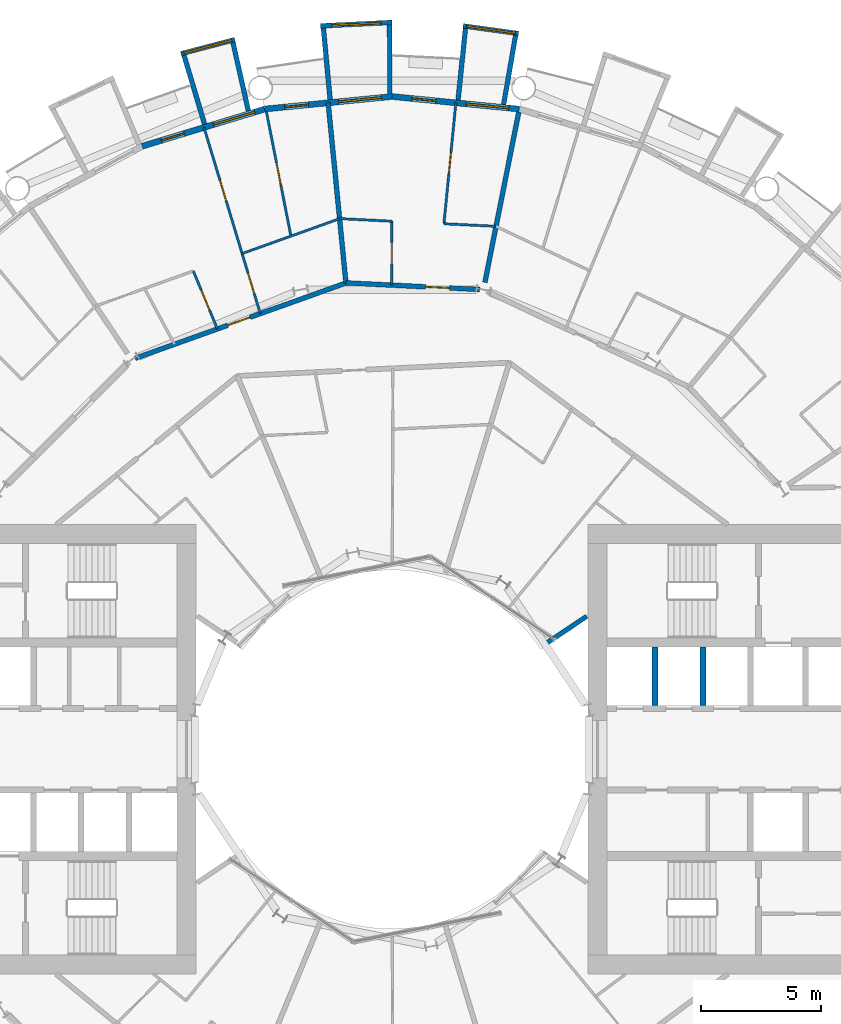
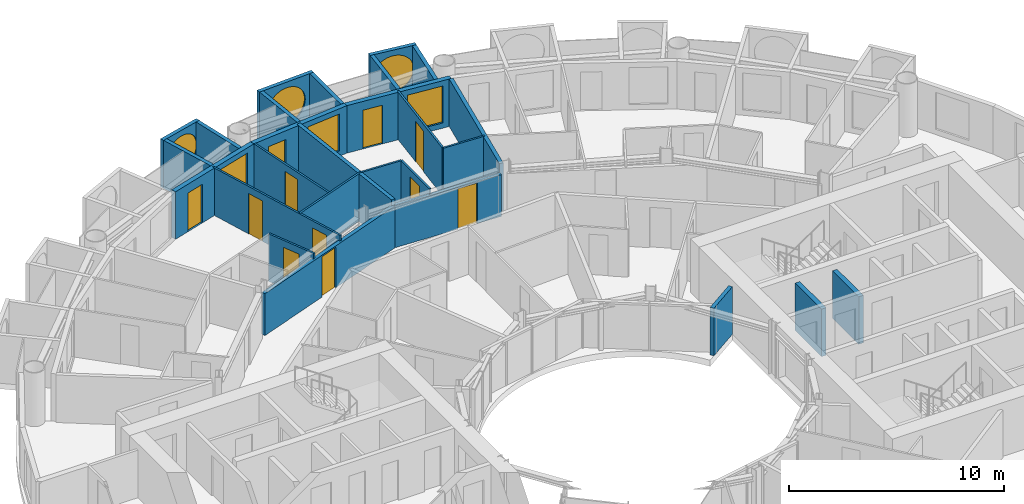
# One storey, part 20 of 26: 27 walls, 11 doors, 6 windows, 17 openings.
"""IFC4 building model written with IfcOpenShell, lengths in metres."""

from ifc_helpers import new_model, si_unit, direction, frame, frame_2d, origin, place, context, subcontext, project, spatial, rectangle, circle, extrude, material, layer, layer_set, type_object, element, fill, save


model = new_model("IFC4")

# Units and contexts
model_context = context("Model", 3, precision=1e-05, world=origin(), true_north=direction((0.0, 1.0)))
body_context = subcontext(model_context, "Body", "Model", "MODEL_VIEW")
ifc_project = project(units=[si_unit("LENGTHUNIT", "METRE"), si_unit("AREAUNIT", "SQUARE_METRE"), si_unit("VOLUMEUNIT", "CUBIC_METRE"), si_unit("PLANEANGLEUNIT", "RADIAN"), si_unit("MASSUNIT", "GRAM", prefix="KILO")], contexts=[model_context])

# Site, building, storey
site_placement = place(None, origin())
site = spatial("IfcSite", under=ifc_project, at=site_placement, CompositionType="ELEMENT")
building_placement = place(site_placement, origin())
building = spatial("IfcBuilding", under=site, at=building_placement, Name="Maasbend Ring Residences", CompositionType="ELEMENT")
storey_placement = place(building_placement, frame((0.0, 0.0, 44.14990234375)))
storey = spatial("IfcBuildingStorey", under=building, at=storey_placement, Name="L12", CompositionType="ELEMENT", Elevation=44.14990234375)

# Wall, opening, door
ifc_material_1 = material(Name="Concrete C30/37", Category="concrete")
ifc_layer_1 = layer(ifc_material_1, 0.199951171875)
ifc_layer_set_1 = layer_set([ifc_layer_1], Name="Concrete C30/37")
wall_type_1 = type_object("IfcWallType", Name="CORRIDOR WALL 200 CONCRETE", PredefinedType="PARTITIONING", material=ifc_layer_set_1)
wall_1_placement = place(storey_placement, frame((-10.741943359375, 16.35107421875, 0.0), z_axis=(0.0, 0.0, 1.0), x_axis=(0.941707755593, 0.336432018476, 0.0)))
wall_1 = element("IfcWall", 1, at=wall_1_placement, inside=storey, type_object=wall_type_1, Name="U-L12-w106", PredefinedType="PARTITIONING", context=body_context, shape_type="SweptSolid", body=[
    extrude(rectangle(XDim=9.380859375, YDim=0.199951171875, at=frame_2d((4.6904296875, 0.0))), origin(), (0.0, 0.0, 1.0), 2.380126953125),
])
opening_1_placement = place(wall_1_placement, frame((4.10595703125, 0.0, 0.0)))
opening_1 = element("IfcOpeningElement", 2, at=opening_1_placement, cuts=wall_1, Name="Opening D-1213", PredefinedType="OPENING", context=body_context, shape_type="SweptSolid", body=[
    extrude(rectangle(XDim=1.0, YDim=2.300048828125, at=frame_2d((0.5, 1.14990234375))), frame((0.0, 0.10986328125, 0.0), z_axis=(0.0, -1.0, 0.0), x_axis=(1.0, 0.0, 0.0)), (0.0, 0.0, 1.0), 0.219970703125),
])
ifc_material_2 = material(Name="Timber, fire-rated, painted", Category="wood")
door_type_1 = type_object("IfcDoorType", Name="FLAT ENTRANCE DOOR 1000 X 2300 FIRE-RATED", OperationType="NOTDEFINED", PredefinedType="DOOR", material=ifc_material_2)
door_1_placement = place(opening_1_placement, origin())
door_1 = element("IfcDoor", 3, at=door_1_placement, inside=storey, type_object=door_type_1, Name="D-1213", OperationType="SINGLE_SWING_LEFT", OverallHeight=2.300048828125, OverallWidth=1.0, PredefinedType="DOOR", context=body_context, shape_type="SweptSolid", body=[
    extrude(rectangle(XDim=1.0, YDim=2.300048828125, at=frame_2d((0.5, 1.14990234375))), frame((0.0, 0.02490234375, 0.0), z_axis=(0.0, -1.0, 0.0), x_axis=(1.0, 0.0, 0.0)), (0.0, 0.0, 1.0), 0.050048828125),
])
fill(opening_1, door_1)

wall_2_placement = place(storey_placement, frame((-1.9208984375, 19.506103515625, 0.0), z_axis=(0.0, 0.0, 1.0), x_axis=(0.99879118777, -0.049154483346, 0.0)))
wall_2 = element("IfcWall", 4, at=wall_2_placement, inside=storey, type_object=wall_type_1, Name="U-L12-w109", PredefinedType="PARTITIONING", context=body_context, shape_type="SweptSolid", body=[
    extrude(rectangle(XDim=5.59765625, YDim=0.199951171875, at=frame_2d((2.798828125, 0.0))), origin(), (0.0, 0.0, 1.0), 2.380126953125),
])
opening_2_placement = place(wall_2_placement, frame((3.333984375, 0.0, 0.0)))
opening_2 = element("IfcOpeningElement", 5, at=opening_2_placement, cuts=wall_2, Name="Opening D-1210", PredefinedType="OPENING", context=body_context, shape_type="SweptSolid", body=[
    extrude(rectangle(XDim=1.0, YDim=2.300048828125, at=frame_2d((0.5, 1.14990234375))), frame((0.0, 0.10986328125, 0.0), z_axis=(0.0, -1.0, 0.0), x_axis=(1.0, 0.0, 0.0)), (0.0, 0.0, 1.0), 0.219970703125),
])
door_2_placement = place(opening_2_placement, origin())
door_2 = element("IfcDoor", 6, at=door_2_placement, inside=storey, type_object=door_type_1, Name="D-1210", OperationType="SINGLE_SWING_RIGHT", OverallHeight=2.300048828125, OverallWidth=1.0, PredefinedType="DOOR", context=body_context, shape_type="SweptSolid", body=[
    extrude(rectangle(XDim=1.0, YDim=2.300048828125, at=frame_2d((0.5, 1.14990234375))), frame((0.0, 0.02490234375, 0.0), z_axis=(0.0, -1.0, 0.0), x_axis=(1.0, 0.0, 0.0)), (0.0, 0.0, 1.0), 0.050048828125),
])
fill(opening_2, door_2)

# Wall, opening, window
ifc_material_3 = material(Name="Pale anodised aluminium panel", Category="aluminium")
ifc_layer_2 = layer(ifc_material_3, 0.199951171875)
ifc_layer_set_2 = layer_set([ifc_layer_2], Name="EW-BOX")
wall_type_2 = type_object("IfcWallType", Name="EW-BOX", PredefinedType="SOLIDWALL", material=ifc_layer_set_2)
wall_3_placement = place(storey_placement, frame((5.2900390625, 29.93603515625, -0.02978515625), z_axis=(0.0, 0.0, 1.0), x_axis=(-0.990696111261, 0.136092671119, 0.0)))
wall_3 = element("IfcWall", 7, at=wall_3_placement, inside=storey, type_object=wall_type_2, Name="Box front N09", PredefinedType="SOLIDWALL", context=body_context, shape_type="SweptSolid", body=[
    extrude(rectangle(XDim=2.335693359375, YDim=0.199951171875, at=frame_2d((1.16796875, 0.0))), origin(), (0.0, 0.0, 1.0), 2.72998046875),
])
opening_3_placement = place(wall_3_placement, frame((0.128173828125, 0.0, 0.330078125)))
opening_3 = element("IfcOpeningElement", 8, at=opening_3_placement, cuts=wall_3, Name="Opening W-RD", PredefinedType="OPENING", context=body_context, shape_type="SweptSolid", body=[
    extrude(circle(Radius=1.0400390625, at=frame_2d((1.0400390625, 1.0400390625))), frame((0.0, 0.10986328125, 0.0), z_axis=(0.0, -1.0, 0.0), x_axis=(1.0, 0.0, 0.0)), (0.0, 0.0, 1.0), 0.219970703125),
])
ifc_material_4 = material(Name="Aluminium and clear glass", Category="aluminium")
window_type_1 = type_object("IfcWindowType", Name="W-RD", PartitioningType="SINGLE_PANEL", PredefinedType="WINDOW", material=ifc_material_4)
window_1_placement = place(opening_3_placement, origin())
window_1 = element("IfcWindow", 9, at=window_1_placement, inside=storey, type_object=window_type_1, Name="Round window N09", OverallHeight=2.080078125, OverallWidth=2.080078125, PartitioningType="SINGLE_PANEL", PredefinedType="WINDOW", context=body_context, shape_type="SweptSolid", body=[
    extrude(circle(Radius=1.0400390625, at=frame_2d((1.0400390625, 1.0400390625))), frame((0.0, 0.030029296875, 0.0), z_axis=(0.0, -1.0, 0.0), x_axis=(1.0, 0.0, 0.0)), (0.0, 0.0, 1.0), 0.06005859375),
])
fill(opening_3, window_1)

# Walls
wall_4_placement = place(storey_placement, frame((4.6708984375, 26.966064453125, -0.02978515625), z_axis=(0.0, 0.0, 1.0), x_axis=(0.170539878907, 0.985350774954, 0.0)))
element("IfcWall", 10, at=wall_4_placement, inside=storey, type_object=wall_type_2, Name="Box side wall N09 left", PredefinedType="SOLIDWALL", context=body_context, shape_type="SweptSolid", body=[
    extrude(rectangle(XDim=2.931884765625, YDim=0.199951171875, at=frame_2d((1.4658203125, 0.0))), origin(), (0.0, 0.0, 1.0), 2.72998046875),
])
wall_5_placement = place(storey_placement, frame((2.763916015625, 27.153076171875, -0.02978515625), z_axis=(0.0, 0.0, 1.0), x_axis=(0.101505487237, 0.994834979311, 0.0)))
element("IfcWall", 11, at=wall_5_placement, inside=storey, type_object=wall_type_2, Name="Box side wall N09 right", PredefinedType="SOLIDWALL", context=body_context, shape_type="SweptSolid", body=[
    extrude(rectangle(XDim=3.006591796875, YDim=0.199951171875, at=frame_2d((1.50341796875, 0.0))), origin(), (0.0, 0.0, 1.0), 2.72998046875),
])

# Wall, opening, window
wall_6_placement = place(storey_placement, frame((0.0048828125, 30.39990234375, -0.02978515625), z_axis=(0.0, 0.0, 1.0), x_axis=(-0.998794083011, -0.049095618353, 0.0)))
wall_6 = element("IfcWall", 12, at=wall_6_placement, inside=storey, type_object=wall_type_2, Name="Box front N11", PredefinedType="SOLIDWALL", context=body_context, shape_type="SweptSolid", body=[
    extrude(rectangle(XDim=2.99365234375, YDim=0.199951171875, at=frame_2d((1.496826171875, 0.0))), origin(), (0.0, 0.0, 1.0), 2.72998046875),
])
opening_4_placement = place(wall_6_placement, frame((0.45654296875, 0.0, 0.330078125)))
opening_4 = element("IfcOpeningElement", 13, at=opening_4_placement, cuts=wall_6, Name="Opening W-RD", PredefinedType="OPENING", context=body_context, shape_type="SweptSolid", body=[
    extrude(circle(Radius=1.0400390625, at=frame_2d((1.0400390625, 1.0400390625))), frame((0.0, 0.10986328125, 0.0), z_axis=(0.0, -1.0, 0.0), x_axis=(1.0, 0.0, 0.0)), (0.0, 0.0, 1.0), 0.219970703125),
])
window_2_placement = place(opening_4_placement, origin())
window_2 = element("IfcWindow", 14, at=window_2_placement, inside=storey, type_object=window_type_1, Name="Round window N11", OverallHeight=2.080078125, OverallWidth=2.080078125, PartitioningType="SINGLE_PANEL", PredefinedType="WINDOW", context=body_context, shape_type="SweptSolid", body=[
    extrude(circle(Radius=1.0400390625, at=frame_2d((1.0400390625, 1.0400390625))), frame((0.0, 0.030029296875, 0.0), z_axis=(0.0, -1.0, 0.0), x_axis=(1.0, 0.0, 0.0)), (0.0, 0.0, 1.0), 0.06005859375),
])
fill(opening_4, window_2)

# Walls
wall_7_placement = place(storey_placement, frame((-0.090087890625, 27.4169921875, -0.02978515625), z_axis=(0.0, 0.0, 1.0), x_axis=(-0.00347308367, 0.999993968827, 0.0)))
element("IfcWall", 15, at=wall_7_placement, inside=storey, type_object=wall_type_2, Name="Box side wall N11 left", PredefinedType="SOLIDWALL", context=body_context, shape_type="SweptSolid", body=[
    extrude(rectangle(XDim=2.882080078125, YDim=0.199951171875, at=frame_2d((1.44091796875, 0.0))), origin(), (0.0, 0.0, 1.0), 2.72998046875),
])
wall_8_placement = place(storey_placement, frame((-2.5859375, 27.1708984375, -0.02978515625), z_axis=(0.0, 0.0, 1.0), x_axis=(-0.094548432284, 0.995520262954, 0.0)))
element("IfcWall", 16, at=wall_8_placement, inside=storey, type_object=wall_type_2, Name="Box side wall N11 right", PredefinedType="SOLIDWALL", context=body_context, shape_type="SweptSolid", body=[
    extrude(rectangle(XDim=3.005615234375, YDim=0.199951171875, at=frame_2d((1.5029296875, 0.0))), origin(), (0.0, 0.0, 1.0), 2.72998046875),
])

# Wall, opening, window
wall_9_placement = place(storey_placement, frame((-6.568115234375, 29.681884765625, -0.02978515625), z_axis=(0.0, 0.0, 1.0), x_axis=(-0.967377102346, -0.253340762326, 0.0)))
wall_9 = element("IfcWall", 17, at=wall_9_placement, inside=storey, type_object=wall_type_2, Name="Box front N13", PredefinedType="SOLIDWALL", context=body_context, shape_type="SweptSolid", body=[
    extrude(rectangle(XDim=2.3359375, YDim=0.199951171875, at=frame_2d((1.16796875, 0.0))), origin(), (0.0, 0.0, 1.0), 2.72998046875),
])
opening_5_placement = place(wall_9_placement, frame((0.128173828125, 0.0, 0.330078125)))
opening_5 = element("IfcOpeningElement", 18, at=opening_5_placement, cuts=wall_9, Name="Opening W-RD", PredefinedType="OPENING", context=body_context, shape_type="SweptSolid", body=[
    extrude(circle(Radius=1.0400390625, at=frame_2d((1.0400390625, 1.0400390625))), frame((0.0, 0.10986328125, 0.0), z_axis=(0.0, -1.0, 0.0), x_axis=(1.0, 0.0, 0.0)), (0.0, 0.0, 1.0), 0.219970703125),
])
window_3_placement = place(opening_5_placement, origin())
window_3 = element("IfcWindow", 19, at=window_3_placement, inside=storey, type_object=window_type_1, Name="Round window N13", OverallHeight=2.080078125, OverallWidth=2.080078125, PartitioningType="SINGLE_PANEL", PredefinedType="WINDOW", context=body_context, shape_type="SweptSolid", body=[
    extrude(circle(Radius=1.0400390625, at=frame_2d((1.0400390625, 1.0400390625))), frame((0.0, 0.030029296875, 0.0), z_axis=(0.0, -1.0, 0.0), x_axis=(1.0, 0.0, 0.0)), (0.0, 0.0, 1.0), 0.06005859375),
])
fill(opening_5, window_3)

# Walls
wall_10_placement = place(storey_placement, frame((-6.00390625, 26.699951171875, -0.02978515625), z_axis=(0.0, 0.0, 1.0), x_axis=(-0.219609259383, 0.975587911566, 0.0)))
element("IfcWall", 20, at=wall_10_placement, inside=storey, type_object=wall_type_2, Name="Box side wall N13 left", PredefinedType="SOLIDWALL", context=body_context, shape_type="SweptSolid", body=[
    extrude(rectangle(XDim=2.9326171875, YDim=0.199951171875, at=frame_2d((1.46630859375, 0.0))), origin(), (0.0, 0.0, 1.0), 2.72998046875),
])
wall_11_placement = place(storey_placement, frame((-7.8369140625, 26.14404296875, -0.02978515625), z_axis=(0.0, 0.0, 1.0), x_axis=(-0.287064767992, 0.957911174889, 0.0)))
element("IfcWall", 21, at=wall_11_placement, inside=storey, type_object=wall_type_2, Name="Box side wall N13 right", PredefinedType="SOLIDWALL", context=body_context, shape_type="SweptSolid", body=[
    extrude(rectangle(XDim=3.00634765625, YDim=0.199951171875, at=frame_2d((1.503173828125, 0.0))), origin(), (0.0, 0.0, 1.0), 2.72998046875),
])

# Wall, openings, door, window
ifc_material_5 = material(Name="Aluminium clad insulated panel", Category="aluminium")
ifc_layer_3 = layer(ifc_material_5, 0.25)
ifc_layer_set_3 = layer_set([ifc_layer_3], Name="EW-GL")
wall_type_3 = type_object("IfcWallType", Name="EW-GL", PredefinedType="SOLIDWALL", material=ifc_layer_set_3)
wall_12_placement = place(storey_placement, frame((5.325927734375, 26.77490234375, 0.0), z_axis=(0.0, 0.0, 1.0), x_axis=(-0.995173996315, 0.098126026407, 0.0)))
wall_12 = element("IfcWall", 22, at=wall_12_placement, inside=storey, type_object=wall_type_3, Name="External wall N05", PredefinedType="SOLIDWALL", context=body_context, shape_type="SweptSolid", body=[
    extrude(rectangle(XDim=5.351806640625, YDim=0.25, at=frame_2d((2.67578125, 0.0))), origin(), (0.0, 0.0, 1.0), 2.7001953125),
])
opening_6_placement = place(wall_12_placement, frame((0.441162109375, 0.0, 0.300048828125)))
opening_6 = element("IfcOpeningElement", 23, at=opening_6_placement, cuts=wall_12, Name="Opening W-BX", PredefinedType="OPENING", context=body_context, shape_type="SweptSolid", body=[
    extrude(rectangle(XDim=1.800048828125, YDim=2.10009765625, at=frame_2d((0.89990234375, 1.050048828125))), frame((0.0, 0.135009765625, 0.0), z_axis=(0.0, -1.0, 0.0), x_axis=(1.0, 0.0, 0.0)), (0.0, 0.0, 1.0), 0.27001953125),
])
opening_7_placement = place(wall_12_placement, frame((3.510498046875, 0.0, 0.0)))
opening_7 = element("IfcOpeningElement", 24, at=opening_7_placement, cuts=wall_12, Name="Opening D-LG", PredefinedType="OPENING", context=body_context, shape_type="SweptSolid", body=[
    extrude(rectangle(XDim=1.0, YDim=2.199951171875, at=frame_2d((0.5, 1.10009765625))), frame((0.0, 0.135009765625, 0.0), z_axis=(0.0, -1.0, 0.0), x_axis=(1.0, 0.0, 0.0)), (0.0, 0.0, 1.0), 0.27001953125),
])
ifc_material_6 = material(Name="Aluminium and clear glass", Category="aluminium")
door_type_2 = type_object("IfcDoorType", Name="D-LG", OperationType="SINGLE_SWING_LEFT", PredefinedType="DOOR", material=ifc_material_6)
door_3_placement = place(opening_7_placement, origin())
door_3 = element("IfcDoor", 25, at=door_3_placement, inside=storey, type_object=door_type_2, Name="Loggia door N10", OperationType="SINGLE_SWING_LEFT", OverallHeight=2.199951171875, OverallWidth=1.0, PredefinedType="DOOR", context=body_context, shape_type="SweptSolid", body=[
    extrude(rectangle(XDim=1.0, YDim=2.199951171875, at=frame_2d((0.5, 1.10009765625))), frame((0.0, 0.02490234375, 0.0), z_axis=(0.0, -1.0, 0.0), x_axis=(1.0, 0.0, 0.0)), (0.0, 0.0, 1.0), 0.050048828125),
])
fill(opening_7, door_3)
ifc_material_7 = material(Name="Aluminium and clear glass", Category="aluminium")
window_type_2 = type_object("IfcWindowType", Name="W-BX", PartitioningType="DOUBLE_PANEL_VERTICAL", PredefinedType="WINDOW", material=ifc_material_7)
window_4_placement = place(opening_6_placement, origin())
window_4 = element("IfcWindow", 26, at=window_4_placement, inside=storey, type_object=window_type_2, Name="Window N09 room to box", OverallHeight=2.10009765625, OverallWidth=1.800048828125, PartitioningType="SINGLE_PANEL", PredefinedType="WINDOW", context=body_context, shape_type="SweptSolid", body=[
    extrude(rectangle(XDim=1.800048828125, YDim=2.10009765625, at=frame_2d((0.89990234375, 1.050048828125))), frame((0.0, 0.030029296875, 0.0), z_axis=(0.0, -1.0, 0.0), x_axis=(1.0, 0.0, 0.0)), (0.0, 0.0, 1.0), 0.06005859375),
])
fill(opening_6, window_4)

wall_13_placement = place(storey_placement, frame((0.0, 27.300048828125, 0.0), z_axis=(0.0, 0.0, 1.0), x_axis=(-0.995173996315, -0.098126026407, 0.0)))
wall_13 = element("IfcWall", 27, at=wall_13_placement, inside=storey, type_object=wall_type_3, Name="External wall N06", PredefinedType="SOLIDWALL", context=body_context, shape_type="SweptSolid", body=[
    extrude(rectangle(XDim=5.351806640625, YDim=0.25, at=frame_2d((2.67578125, 0.0))), origin(), (0.0, 0.0, 1.0), 2.7001953125),
])
opening_8_placement = place(wall_13_placement, frame((0.441162109375, 0.0, 0.300048828125)))
opening_8 = element("IfcOpeningElement", 28, at=opening_8_placement, cuts=wall_13, Name="Opening W-BX", PredefinedType="OPENING", context=body_context, shape_type="SweptSolid", body=[
    extrude(rectangle(XDim=1.800048828125, YDim=2.10009765625, at=frame_2d((0.89990234375, 1.050048828125))), frame((0.0, 0.135009765625, 0.0), z_axis=(0.0, -1.0, 0.0), x_axis=(1.0, 0.0, 0.0)), (0.0, 0.0, 1.0), 0.27001953125),
])
opening_9_placement = place(wall_13_placement, frame((3.510498046875, 0.0, 0.0)))
opening_9 = element("IfcOpeningElement", 29, at=opening_9_placement, cuts=wall_13, Name="Opening D-LG", PredefinedType="OPENING", context=body_context, shape_type="SweptSolid", body=[
    extrude(rectangle(XDim=1.0, YDim=2.199951171875, at=frame_2d((0.5, 1.10009765625))), frame((0.0, 0.135009765625, 0.0), z_axis=(0.0, -1.0, 0.0), x_axis=(1.0, 0.0, 0.0)), (0.0, 0.0, 1.0), 0.27001953125),
])
door_4_placement = place(opening_9_placement, origin())
door_4 = element("IfcDoor", 30, at=door_4_placement, inside=storey, type_object=door_type_2, Name="Loggia door N12", OperationType="SINGLE_SWING_LEFT", OverallHeight=2.199951171875, OverallWidth=1.0, PredefinedType="DOOR", context=body_context, shape_type="SweptSolid", body=[
    extrude(rectangle(XDim=1.0, YDim=2.199951171875, at=frame_2d((0.5, 1.10009765625))), frame((0.0, 0.02490234375, 0.0), z_axis=(0.0, -1.0, 0.0), x_axis=(1.0, 0.0, 0.0)), (0.0, 0.0, 1.0), 0.050048828125),
])
fill(opening_9, door_4)
window_5_placement = place(opening_8_placement, origin())
window_5 = element("IfcWindow", 31, at=window_5_placement, inside=storey, type_object=window_type_2, Name="Window N11 room to box", OverallHeight=2.10009765625, OverallWidth=1.800048828125, PartitioningType="SINGLE_PANEL", PredefinedType="WINDOW", context=body_context, shape_type="SweptSolid", body=[
    extrude(rectangle(XDim=1.800048828125, YDim=2.10009765625, at=frame_2d((0.89990234375, 1.050048828125))), frame((0.0, 0.030029296875, 0.0), z_axis=(0.0, -1.0, 0.0), x_axis=(1.0, 0.0, 0.0)), (0.0, 0.0, 1.0), 0.06005859375),
])
fill(opening_8, window_5)

wall_14_placement = place(storey_placement, frame((-5.325927734375, 26.77490234375, 0.0), z_axis=(0.0, 0.0, 1.0), x_axis=(-0.956965678721, -0.290201119486, 0.0)))
wall_14 = element("IfcWall", 32, at=wall_14_placement, inside=storey, type_object=wall_type_3, Name="External wall N07", PredefinedType="SOLIDWALL", context=body_context, shape_type="SweptSolid", body=[
    extrude(rectangle(XDim=5.351318359375, YDim=0.25, at=frame_2d((2.67578125, 0.0))), origin(), (0.0, 0.0, 1.0), 2.7001953125),
])
opening_10_placement = place(wall_14_placement, frame((0.441162109375, 0.0, 0.300048828125)))
opening_10 = element("IfcOpeningElement", 33, at=opening_10_placement, cuts=wall_14, Name="Opening W-BX", PredefinedType="OPENING", context=body_context, shape_type="SweptSolid", body=[
    extrude(rectangle(XDim=1.800048828125, YDim=2.10009765625, at=frame_2d((0.89990234375, 1.050048828125))), frame((0.0, 0.135009765625, 0.0), z_axis=(0.0, -1.0, 0.0), x_axis=(1.0, 0.0, 0.0)), (0.0, 0.0, 1.0), 0.27001953125),
])
opening_11_placement = place(wall_14_placement, frame((3.510498046875, 0.0, 0.0)))
opening_11 = element("IfcOpeningElement", 34, at=opening_11_placement, cuts=wall_14, Name="Opening D-LG", PredefinedType="OPENING", context=body_context, shape_type="SweptSolid", body=[
    extrude(rectangle(XDim=1.0, YDim=2.199951171875, at=frame_2d((0.5, 1.10009765625))), frame((0.0, 0.135009765625, 0.0), z_axis=(0.0, -1.0, 0.0), x_axis=(1.0, 0.0, 0.0)), (0.0, 0.0, 1.0), 0.27001953125),
])
door_5_placement = place(opening_11_placement, origin())
door_5 = element("IfcDoor", 35, at=door_5_placement, inside=storey, type_object=door_type_2, Name="Loggia door N14", OperationType="SINGLE_SWING_LEFT", OverallHeight=2.199951171875, OverallWidth=1.0, PredefinedType="DOOR", context=body_context, shape_type="SweptSolid", body=[
    extrude(rectangle(XDim=1.0, YDim=2.199951171875, at=frame_2d((0.5, 1.10009765625))), frame((0.0, 0.02490234375, 0.0), z_axis=(0.0, -1.0, 0.0), x_axis=(1.0, 0.0, 0.0)), (0.0, 0.0, 1.0), 0.050048828125),
])
fill(opening_11, door_5)
window_6_placement = place(opening_10_placement, origin())
window_6 = element("IfcWindow", 36, at=window_6_placement, inside=storey, type_object=window_type_2, Name="Window N13 room to box", OverallHeight=2.10009765625, OverallWidth=1.800048828125, PartitioningType="SINGLE_PANEL", PredefinedType="WINDOW", context=body_context, shape_type="SweptSolid", body=[
    extrude(rectangle(XDim=1.800048828125, YDim=2.10009765625, at=frame_2d((0.89990234375, 1.050048828125))), frame((0.0, 0.030029296875, 0.0), z_axis=(0.0, -1.0, 0.0), x_axis=(1.0, 0.0, 0.0)), (0.0, 0.0, 1.0), 0.06005859375),
])
fill(opening_10, window_6)

# Wall, opening, door
ifc_material_8 = material(Name="Gypsum board on steel studs", Category="steel")
ifc_layer_4 = layer(ifc_material_8, 0.10009765625)
ifc_layer_set_4 = layer_set([ifc_layer_4], Name="PARTITION 100 GYPSUM")
wall_type_4 = type_object("IfcWallType", Name="PARTITION 100 GYPSUM", PredefinedType="PARTITIONING", material=ifc_layer_set_4)
wall_15_placement = place(storey_placement, frame((-8.30810546875, 20.001953125, 0.0), z_axis=(0.0, 0.0, 1.0), x_axis=(0.38363686428, -0.923484031462, 0.0)))
wall_15 = element("IfcWall", 37, at=wall_15_placement, inside=storey, type_object=wall_type_4, Name="U-L12-w051", PredefinedType="PARTITIONING", context=body_context, shape_type="SweptSolid", body=[
    extrude(rectangle(XDim=2.62255859375, YDim=0.10009765625, at=frame_2d((1.311279296875, 0.0))), origin(), (0.0, 0.0, 1.0), 2.7001953125),
])
opening_12_placement = place(wall_15_placement, frame((0.861083984375, 0.0, 0.0)))
opening_12 = element("IfcOpeningElement", 38, at=opening_12_placement, cuts=wall_15, Name="Opening D-1215", PredefinedType="OPENING", context=body_context, shape_type="SweptSolid", body=[
    extrude(rectangle(XDim=0.89990234375, YDim=2.300048828125, at=frame_2d((0.449951171875, 1.14990234375))), frame((0.0, 0.06005859375, 0.0), z_axis=(0.0, -1.0, 0.0), x_axis=(1.0, 0.0, 0.0)), (0.0, 0.0, 1.0), 0.1201171875),
])
ifc_material_9 = material(Name="Timber, painted", Category="wood")
door_type_3 = type_object("IfcDoorType", Name="INTERNAL DOOR 900 X 2300", OperationType="NOTDEFINED", PredefinedType="DOOR", material=ifc_material_9)
door_6_placement = place(opening_12_placement, origin())
door_6 = element("IfcDoor", 39, at=door_6_placement, inside=storey, type_object=door_type_3, Name="D-1215", OperationType="SINGLE_SWING_RIGHT", OverallHeight=2.300048828125, OverallWidth=0.89990234375, PredefinedType="DOOR", context=body_context, shape_type="SweptSolid", body=[
    extrude(rectangle(XDim=0.89990234375, YDim=2.300048828125, at=frame_2d((0.449951171875, 1.14990234375))), frame((0.0, 0.02490234375, 0.0), z_axis=(0.0, -1.0, 0.0), x_axis=(1.0, 0.0, 0.0)), (0.0, 0.0, 1.0), 0.050048828125),
])
fill(opening_12, door_6)

# Wall, openings, doors
wall_16_placement = place(storey_placement, frame((-7.863037109375, 26.011962890625, 0.0), z_axis=(0.0, 0.0, 1.0), x_axis=(0.289372881225, -0.957216451808, 0.0)))
wall_16 = element("IfcWall", 40, at=wall_16_placement, inside=storey, type_object=wall_type_4, Name="U-L12-w052", PredefinedType="PARTITIONING", context=body_context, shape_type="SweptSolid", body=[
    extrude(rectangle(XDim=8.13818359375, YDim=0.10009765625, at=frame_2d((4.069091796875, 0.0))), origin(), (0.0, 0.0, 1.0), 2.7001953125),
])
opening_13_placement = place(wall_16_placement, frame((6.376953125, 0.0, 0.0)))
opening_13 = element("IfcOpeningElement", 41, at=opening_13_placement, cuts=wall_16, Name="Opening D-1216", PredefinedType="OPENING", context=body_context, shape_type="SweptSolid", body=[
    extrude(rectangle(XDim=0.89990234375, YDim=2.300048828125, at=frame_2d((0.449951171875, 1.14990234375))), frame((0.0, 0.06005859375, 0.0), z_axis=(0.0, -1.0, 0.0), x_axis=(1.0, 0.0, 0.0)), (0.0, 0.0, 1.0), 0.1201171875),
])
opening_14_placement = place(wall_16_placement, frame((2.30810546875, 0.0, 0.0)))
opening_14 = element("IfcOpeningElement", 42, at=opening_14_placement, cuts=wall_16, Name="Opening D-1217", PredefinedType="OPENING", context=body_context, shape_type="SweptSolid", body=[
    extrude(rectangle(XDim=0.89990234375, YDim=2.300048828125, at=frame_2d((0.449951171875, 1.14990234375))), frame((0.0, 0.06005859375, 0.0), z_axis=(0.0, -1.0, 0.0), x_axis=(1.0, 0.0, 0.0)), (0.0, 0.0, 1.0), 0.1201171875),
])
door_7_placement = place(opening_13_placement, origin())
door_7 = element("IfcDoor", 43, at=door_7_placement, inside=storey, type_object=door_type_3, Name="D-1216", OperationType="SINGLE_SWING_RIGHT", OverallHeight=2.300048828125, OverallWidth=0.89990234375, PredefinedType="DOOR", context=body_context, shape_type="SweptSolid", body=[
    extrude(rectangle(XDim=0.89990234375, YDim=2.300048828125, at=frame_2d((0.449951171875, 1.14990234375))), frame((0.0, 0.02490234375, 0.0), z_axis=(0.0, -1.0, 0.0), x_axis=(1.0, 0.0, 0.0)), (0.0, 0.0, 1.0), 0.050048828125),
])
fill(opening_13, door_7)
door_8_placement = place(opening_14_placement, origin())
door_8 = element("IfcDoor", 44, at=door_8_placement, inside=storey, type_object=door_type_3, Name="D-1217", OperationType="SINGLE_SWING_LEFT", OverallHeight=2.300048828125, OverallWidth=0.89990234375, PredefinedType="DOOR", context=body_context, shape_type="SweptSolid", body=[
    extrude(rectangle(XDim=0.89990234375, YDim=2.300048828125, at=frame_2d((0.449951171875, 1.14990234375))), frame((0.0, 0.02490234375, 0.0), z_axis=(0.0, -1.0, 0.0), x_axis=(1.0, 0.0, 0.0)), (0.0, 0.0, 1.0), 0.050048828125),
])
fill(opening_14, door_8)

# Wall, opening, door
wall_17_placement = place(storey_placement, frame((-5.2509765625, 26.6630859375, 0.0), z_axis=(0.0, 0.0, 1.0), x_axis=(0.193334397611, -0.981132922035, 0.0)))
wall_17 = element("IfcWall", 45, at=wall_17_placement, inside=storey, type_object=wall_type_4, Name="U-L12-w057", PredefinedType="PARTITIONING", context=body_context, shape_type="SweptSolid", body=[
    extrude(rectangle(XDim=5.30126953125, YDim=0.10009765625, at=frame_2d((2.650634765625, 0.0))), origin(), (0.0, 0.0, 1.0), 2.7001953125),
])
opening_15_placement = place(wall_17_placement, frame((2.200927734375, 0.0, 0.0)))
opening_15 = element("IfcOpeningElement", 46, at=opening_15_placement, cuts=wall_17, Name="Opening D-1218", PredefinedType="OPENING", context=body_context, shape_type="SweptSolid", body=[
    extrude(rectangle(XDim=0.89990234375, YDim=2.300048828125, at=frame_2d((0.449951171875, 1.14990234375))), frame((0.0, 0.06005859375, 0.0), z_axis=(0.0, -1.0, 0.0), x_axis=(1.0, 0.0, 0.0)), (0.0, 0.0, 1.0), 0.1201171875),
])
door_9_placement = place(opening_15_placement, origin())
door_9 = element("IfcDoor", 47, at=door_9_placement, inside=storey, type_object=door_type_3, Name="D-1218", OperationType="SINGLE_SWING_LEFT", OverallHeight=2.300048828125, OverallWidth=0.89990234375, PredefinedType="DOOR", context=body_context, shape_type="SweptSolid", body=[
    extrude(rectangle(XDim=0.89990234375, YDim=2.300048828125, at=frame_2d((0.449951171875, 1.14990234375))), frame((0.0, 0.02490234375, 0.0), z_axis=(0.0, -1.0, 0.0), x_axis=(1.0, 0.0, 0.0)), (0.0, 0.0, 1.0), 0.050048828125),
])
fill(opening_15, door_9)

wall_18_placement = place(storey_placement, frame((-0.006103515625, 19.412109375, 0.0), z_axis=(0.0, 0.0, 1.0), x_axis=(-0.000365230071, 0.999999933303, 0.0)))
wall_18 = element("IfcWall", 48, at=wall_18_placement, inside=storey, type_object=wall_type_4, Name="U-L12-w062", PredefinedType="PARTITIONING", context=body_context, shape_type="SweptSolid", body=[
    extrude(rectangle(XDim=2.673828125, YDim=0.10009765625, at=frame_2d((1.3369140625, 0.0))), origin(), (0.0, 0.0, 1.0), 2.7001953125),
])
opening_16_placement = place(wall_18_placement, frame((0.886962890625, 0.0, 0.0)))
opening_16 = element("IfcOpeningElement", 49, at=opening_16_placement, cuts=wall_18, Name="Opening D-1211", PredefinedType="OPENING", context=body_context, shape_type="SweptSolid", body=[
    extrude(rectangle(XDim=0.89990234375, YDim=2.300048828125, at=frame_2d((0.449951171875, 1.14990234375))), frame((0.0, 0.06005859375, 0.0), z_axis=(0.0, -1.0, 0.0), x_axis=(1.0, 0.0, 0.0)), (0.0, 0.0, 1.0), 0.1201171875),
])
door_10_placement = place(opening_16_placement, origin())
door_10 = element("IfcDoor", 50, at=door_10_placement, inside=storey, type_object=door_type_3, Name="D-1211", OperationType="SINGLE_SWING_LEFT", OverallHeight=2.300048828125, OverallWidth=0.89990234375, PredefinedType="DOOR", context=body_context, shape_type="SweptSolid", body=[
    extrude(rectangle(XDim=0.89990234375, YDim=2.300048828125, at=frame_2d((0.449951171875, 1.14990234375))), frame((0.0, 0.02490234375, 0.0), z_axis=(0.0, -1.0, 0.0), x_axis=(1.0, 0.0, 0.0)), (0.0, 0.0, 1.0), 0.050048828125),
])
fill(opening_16, door_10)

wall_19_placement = place(storey_placement, frame((2.172119140625, 21.97900390625, 0.0), z_axis=(0.0, 0.0, 1.0), x_axis=(0.098259061871, 0.99516086979, 0.0)))
wall_19 = element("IfcWall", 51, at=wall_19_placement, inside=storey, type_object=wall_type_4, Name="U-L12-w067", PredefinedType="PARTITIONING", context=body_context, shape_type="SweptSolid", body=[
    extrude(rectangle(XDim=5.088623046875, YDim=0.10009765625, at=frame_2d((2.54443359375, 0.0))), origin(), (0.0, 0.0, 1.0), 2.7001953125),
])
opening_17_placement = place(wall_19_placement, frame((2.093994140625, 0.0, 0.0)))
opening_17 = element("IfcOpeningElement", 52, at=opening_17_placement, cuts=wall_19, Name="Opening D-1212", PredefinedType="OPENING", context=body_context, shape_type="SweptSolid", body=[
    extrude(rectangle(XDim=0.89990234375, YDim=2.300048828125, at=frame_2d((0.449951171875, 1.14990234375))), frame((0.0, 0.06005859375, 0.0), z_axis=(0.0, -1.0, 0.0), x_axis=(1.0, 0.0, 0.0)), (0.0, 0.0, 1.0), 0.1201171875),
])
door_11_placement = place(opening_17_placement, origin())
door_11 = element("IfcDoor", 53, at=door_11_placement, inside=storey, type_object=door_type_3, Name="D-1212", OperationType="SINGLE_SWING_LEFT", OverallHeight=2.300048828125, OverallWidth=0.89990234375, PredefinedType="DOOR", context=body_context, shape_type="SweptSolid", body=[
    extrude(rectangle(XDim=0.89990234375, YDim=2.300048828125, at=frame_2d((0.449951171875, 1.14990234375))), frame((0.0, 0.02490234375, 0.0), z_axis=(0.0, -1.0, 0.0), x_axis=(1.0, 0.0, 0.0)), (0.0, 0.0, 1.0), 0.050048828125),
])
fill(opening_17, door_11)

# Walls
wall_20_placement = place(storey_placement, frame((-6.27294921875, 20.72998046875, 0.0), z_axis=(0.0, 0.0, 1.0), x_axis=(0.941501535708, 0.337008691666, 0.0)))
element("IfcWall", 54, at=wall_20_placement, inside=storey, type_object=wall_type_4, Name="U-L12-w112", PredefinedType="PARTITIONING", context=body_context, shape_type="SweptSolid", body=[
    extrude(rectangle(XDim=4.347412109375, YDim=0.10009765625, at=frame_2d((2.173828125, 0.0))), origin(), (0.0, 0.0, 1.0), 2.7001953125),
])
for number, where, z_axis, x_axis, name in (
    (55, (-2.18603515625, 22.193115234375, 0.0), (0.0, 0.0, 1.0), (0.998792477005, -0.049128279821, 0.0), "U-L12-w119"),
    (56, (2.172119140625, 21.97900390625, 0.0), (0.0, 0.0, 1.0), (0.998797962079, -0.049016639484, 0.0), "U-L12-w120"),
):
    element("IfcWall", number, at=place(storey_placement, frame(where, z_axis=z_axis, x_axis=x_axis)), inside=storey, type_object=wall_type_4, Name=name, PredefinedType="PARTITIONING", context=body_context, shape_type="SweptSolid", body=[
        extrude(rectangle(XDim=2.181640625, YDim=0.10009765625, at=frame_2d((1.0908203125, 0.0))), origin(), (0.0, 0.0, 1.0), 2.7001953125),
    ])
ifc_material_10 = material(Name="Concrete C30/37", Category="concrete")
ifc_layer_5 = layer(ifc_material_10, 0.199951171875)
ifc_layer_set_5 = layer_set([ifc_layer_5], Name="Concrete C30/37")
wall_type_5 = type_object("IfcWallType", Name="PARTY WALL 200 CONCRETE", PredefinedType="PARTITIONING", material=ifc_layer_set_5)
wall_21_placement = place(storey_placement, frame((-2.669921875, 27.04296875, 0.0), z_axis=(0.0, 0.0, 1.0), x_axis=(0.098208010272, -0.995165909142, 0.0)))
element("IfcWall", 57, at=wall_21_placement, inside=storey, type_object=wall_type_5, Name="U-L12-w060", PredefinedType="PARTITIONING", context=body_context, shape_type="SweptSolid", body=[
    extrude(rectangle(XDim=7.57470703125, YDim=0.199951171875, at=frame_2d((3.787353515625, 0.0))), origin(), (0.0, 0.0, 1.0), 2.7001953125),
])
wall_22_placement = place(storey_placement, frame((3.885009765625, 19.527099609375, 0.0), z_axis=(0.0, 0.0, 1.0), x_axis=(0.19503038749, 0.980797200218, 0.0)))
element("IfcWall", 58, at=wall_22_placement, inside=storey, type_object=wall_type_5, Name="U-L12-w071", PredefinedType="PARTITIONING", context=body_context, shape_type="SweptSolid", body=[
    extrude(rectangle(XDim=7.265380859375, YDim=0.199951171875, at=frame_2d((3.6328125, 0.0))), origin(), (0.0, 0.0, 1.0), 2.7001953125),
])
wall_23_placement = place(storey_placement, frame((6.512939453125, 4.471923828125, 0.0), z_axis=(0.0, 0.0, 1.0), x_axis=(0.831417956244, 0.555647533996, 0.0)))
element("IfcWall", 59, at=wall_23_placement, inside=storey, type_object=wall_type_5, Name="U-L12-w094", PredefinedType="PARTITIONING", context=body_context, shape_type="SweptSolid", body=[
    extrude(rectangle(XDim=1.9619140625, YDim=0.199951171875, at=frame_2d((0.98095703125, 0.0))), origin(), (0.0, 0.0, 1.0), 2.7001953125),
])
ifc_material_11 = material(Name="Concrete C30/37", Category="concrete")
ifc_layer_6 = layer(ifc_material_11, 0.25)
ifc_layer_set_6 = layer_set([ifc_layer_6], Name="Concrete C30/37")
wall_type_6 = type_object("IfcWallType", Name="SHAFT WALL 250 EI 120", PredefinedType="SOLIDWALL", material=ifc_layer_set_6)
for number, where, z_axis, x_axis, name in (
    (60, (11.0, 1.824951171875, 0.0), (0.0, 0.0, 1.0), (0.0, 1.0, 0.0), "L12 core E wall D110N"),
    (61, (13.0, 1.824951171875, 0.0), (0.0, 0.0, 1.0), (0.0, 1.0, 0.0), "L12 core E wall D130N"),
):
    element("IfcWall", number, at=place(storey_placement, frame(where, z_axis=z_axis, x_axis=x_axis)), inside=storey, type_object=wall_type_6, Name=name, PredefinedType="SOLIDWALL", context=body_context, shape_type="SweptSolid", body=[
        extrude(rectangle(XDim=2.449951171875, YDim=0.25, at=frame_2d((1.22509765625, 0.0))), origin(), (0.0, 0.0, 1.0), 2.7001953125),
    ])

save(model, "model.ifc")
